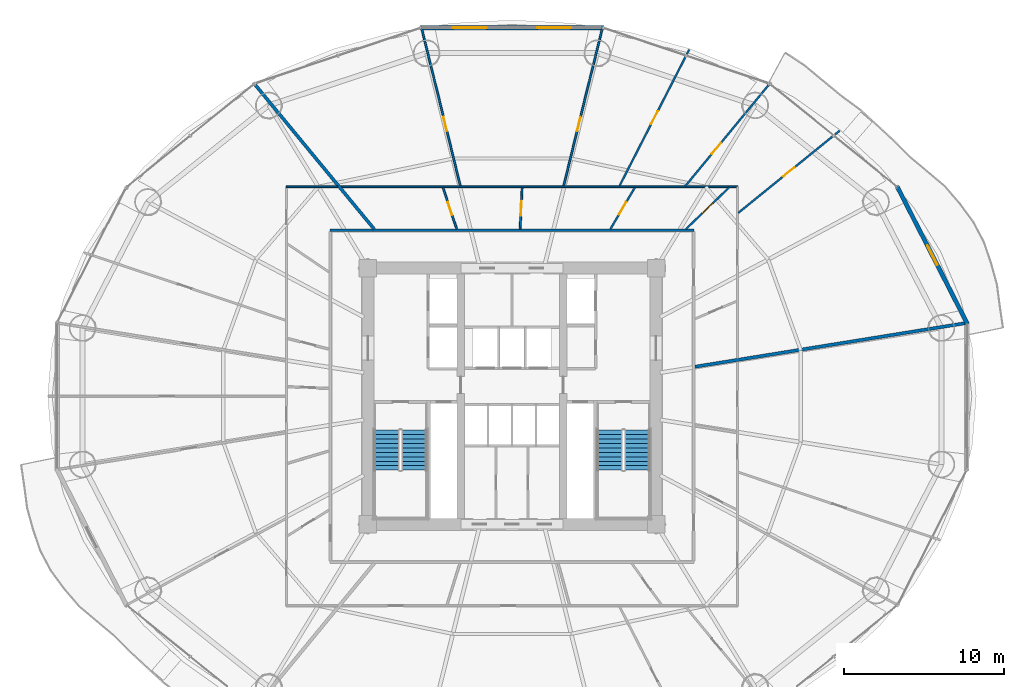
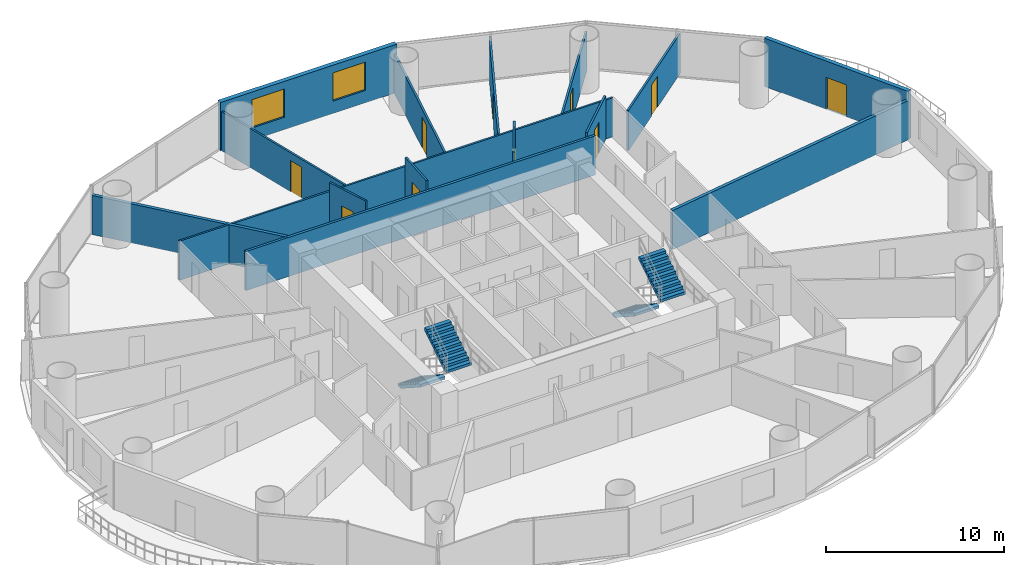
# One storey, part 24 of 28: 16 walls, 10 doors, 4 stair flights, 2 windows, 12 openings, 2 elements without a shape of their own.
"""IFC4 building model written with IfcOpenShell, lengths in metres."""

from ifc_helpers import new_model, si_unit, direction, frame, frame_2d, origin, place, context, subcontext, project, spatial, polyline, rectangle, outline, extrude, source, transform, mapped, material, layer, layer_set, type_object, element, fill, aggregate, save


model = new_model("IFC4")

# Units and contexts
model_context = context("Model", 3, precision=1e-05, world=origin(), true_north=direction((-0.2419218956, 0.970295726276)))
body_context = subcontext(model_context, "Body", "Model", "MODEL_VIEW")
ifc_project = project(units=[si_unit("LENGTHUNIT", "METRE"), si_unit("AREAUNIT", "SQUARE_METRE"), si_unit("VOLUMEUNIT", "CUBIC_METRE"), si_unit("PLANEANGLEUNIT", "RADIAN"), si_unit("MASSUNIT", "GRAM", prefix="KILO")], contexts=[model_context])

# Site, building, storey
site_placement = place(None, origin())
site = spatial("IfcSite", under=ifc_project, at=site_placement, CompositionType="ELEMENT")
building_placement = place(site_placement, origin())
building = spatial("IfcBuilding", under=site, at=building_placement, Name="Cobrevalo Terracotta Tower", CompositionType="ELEMENT")
storey_placement = place(building_placement, frame((0.0, 0.0, 42.0)))
storey = spatial("IfcBuildingStorey", under=building, at=storey_placement, Name="L10", CompositionType="ELEMENT", Elevation=42.0)

# Walls
ifc_material_1 = material(Name="Gypsum board on steel stud", Category="steel")
ifc_layer_1 = layer(ifc_material_1, 0.159912109375)
ifc_layer_set_1 = layer_set([ifc_layer_1], Name="Gypsum board on steel stud")
wall_type_1 = type_object("IfcWallType", Name="Fire-rated corridor acoustic partition wall 160 mm", PredefinedType="PARTITIONING", material=ifc_layer_set_1)
wall_1_placement = place(storey_placement, frame((26.64501953125, 37.155029296875, 0.0), z_axis=(0.0, 0.0, 1.0), x_axis=(1.0, 0.0, 0.0)))
element("IfcWall", 1, at=wall_1_placement, inside=storey, type_object=wall_type_1, Name="L10 interior partition IW-L10-COR-N", PredefinedType="PARTITIONING", context=body_context, shape_type="SweptSolid", body=[
    extrude(rectangle(XDim=22.7099609375, YDim=0.159912109375, at=frame_2d((11.35498046875, 0.0))), origin(), (0.0, 0.0, 1.0), 2.68798828125),
])
ifc_material_2 = material(Name="Autoclaved aerated concrete block", Category="concrete")
ifc_layer_2 = layer(ifc_material_2, 0.199951171875)
ifc_layer_set_2 = layer_set([ifc_layer_2], Name="Autoclaved aerated concrete block")
wall_type_2 = type_object("IfcWallType", Name="Fire-rated stair, shaft & demising masonry wall 200 mm", PredefinedType="PARTITIONING", material=ifc_layer_set_2)
wall_2_placement = place(storey_placement, frame((49.43505859375, 28.64306640625, 0.0), z_axis=(0.0, 0.0, 1.0), x_axis=(0.987255953651, 0.159140447344, 0.0)))
element("IfcWall", 2, at=wall_2_placement, inside=storey, type_object=wall_type_2, Name="L10 interior partition IW-L10-DEM-1", PredefinedType="PARTITIONING", context=body_context, shape_type="SweptSolid", body=[
    extrude(rectangle(XDim=17.10546875, YDim=0.199951171875, at=frame_2d((8.552734375, 0.0))), origin(), (0.0, 0.0, 1.0), 2.68798828125),
])
wall_3_placement = place(storey_placement, frame((29.39453125, 37.236572265625, 0.0), z_axis=(0.0, 0.0, 1.0), x_axis=(-0.636195770442, 0.77152766747, 0.0)))
element("IfcWall", 3, at=wall_3_placement, inside=storey, type_object=wall_type_2, Name="L10 interior partition IW-L10-DEM-2", PredefinedType="PARTITIONING", context=body_context, shape_type="SweptSolid", body=[
    extrude(rectangle(XDim=11.680908203125, YDim=0.199951171875, at=frame_2d((5.84033203125, 0.0))), origin(), (0.0, 0.0, 1.0), 2.68798828125),
])

# Wall, openings, windows
ifc_layer_3 = layer(ifc_material_2, 0.280029296875)
ifc_layer_set_3 = layer_set([ifc_layer_3], Name="Autoclaved aerated concrete block")
wall_type_3 = type_object("IfcWallType", Name="Insulated tower spandrel & pier wall 280 mm with terracotta rainscreen", PredefinedType="SOLIDWALL", material=ifc_layer_set_3)
wall_4_placement = place(storey_placement, frame((43.731689453125, 49.819091796875, 0.0), z_axis=(0.0, 0.0, 1.0), x_axis=(-1.0, 0.0, 0.0)))
wall_4 = element("IfcWall", 4, at=wall_4_placement, inside=storey, type_object=wall_type_3, Name="L10 terracotta rainscreen pier wall S04", PredefinedType="SOLIDWALL", context=body_context, shape_type="SweptSolid", body=[
    extrude(rectangle(XDim=11.46337890625, YDim=0.280029296875, at=frame_2d((5.731689453125, 0.0))), origin(), (0.0, 0.0, 1.0), 3.320068359375),
])
opening_1_placement = place(wall_4_placement, frame((2.045166015625, 0.0, 0.85009765625)))
opening_1 = element("IfcOpeningElement", 5, at=opening_1_placement, cuts=wall_4, Name="Opening WN-10", PredefinedType="OPENING", context=body_context, shape_type="SweptSolid", body=[
    extrude(rectangle(XDim=2.10009765625, YDim=1.949951171875, at=frame_2d((1.050048828125, 0.97509765625))), frame((0.0, 0.14990234375, 0.0), z_axis=(0.0, -1.0, 0.0), x_axis=(1.0, 0.0, 0.0)), (0.0, 0.0, 1.0), 0.300048828125),
])
opening_2_placement = place(wall_4_placement, frame((7.318359375, 0.0, 0.85009765625)))
opening_2 = element("IfcOpeningElement", 6, at=opening_2_placement, cuts=wall_4, Name="Opening WN-10", PredefinedType="OPENING", context=body_context, shape_type="SweptSolid", body=[
    extrude(rectangle(XDim=2.10009765625, YDim=1.949951171875, at=frame_2d((1.050048828125, 0.97509765625))), frame((0.0, 0.14990234375, 0.0), z_axis=(0.0, -1.0, 0.0), x_axis=(1.0, 0.0, 0.0)), (0.0, 0.0, 1.0), 0.300048828125),
])
ifc_material_3 = material(Name="Solar-control low-E double glazing", Category="glass")
window_type = type_object("IfcWindowType", Name="Wide panoramic low-E aluminium window 2100x1950", PartitioningType="SINGLE_PANEL", PredefinedType="WINDOW", material=ifc_material_3)
shared_shape_1 = source(origin(), body_context, "Body", "SweptSolid", [
    extrude(rectangle(XDim=2.10009765625, YDim=1.949951171875, at=frame_2d((1.050048828125, 0.97509765625))), frame((0.0, 0.030029296875, 0.0), z_axis=(0.0, -1.0, 0.0), x_axis=(1.0, 0.0, 0.0)), (0.0, 0.0, 1.0), 0.06005859375),
])
window_1_placement = place(opening_1_placement, origin())
window_1 = element("IfcWindow", 7, at=window_1_placement, inside=storey, type_object=window_type, Name="L10 suite window S04A", OverallHeight=1.949951171875, OverallWidth=2.10009765625, PartitioningType="SINGLE_PANEL", PredefinedType="WINDOW", context=body_context, shape_type="MappedRepresentation", body=[
    mapped(shared_shape_1, transform((0.0, 0.0, 0.0), scale=1.0)),
])
fill(opening_1, window_1)
window_2_placement = place(opening_2_placement, origin())
window_2 = element("IfcWindow", 8, at=window_2_placement, inside=storey, type_object=window_type, Name="L10 suite window S04B", OverallHeight=1.949951171875, OverallWidth=2.10009765625, PartitioningType="SINGLE_PANEL", PredefinedType="WINDOW", context=body_context, shape_type="MappedRepresentation", body=[
    mapped(shared_shape_1, transform((0.0, 0.0, 0.0), scale=1.0)),
])
fill(opening_2, window_2)

# Wall, opening, door
ifc_layer_4 = layer(ifc_material_2, 0.260009765625)
ifc_layer_set_4 = layer_set([ifc_layer_4], Name="Autoclaved aerated concrete block")
wall_type_4 = type_object("IfcWallType", Name="Recessed balcony loggia insulated exterior wall 260 mm", PredefinedType="SOLIDWALL", material=ifc_layer_set_4)
wall_5_placement = place(storey_placement, frame((66.44970703125, 31.3076171875, 0.0), z_axis=(0.0, 0.0, 1.0), x_axis=(-0.45523081716, 0.890373462715, 0.0)))
wall_5 = element("IfcWall", 9, at=wall_5_placement, inside=storey, type_object=wall_type_4, Name="L10 balcony loggia wall S01", PredefinedType="SOLIDWALL", context=body_context, shape_type="SweptSolid", body=[
    extrude(rectangle(XDim=9.662109375, YDim=0.260009765625, at=frame_2d((4.8310546875, 0.0))), origin(), (0.0, 0.0, 1.0), 3.320068359375),
])
opening_3_placement = place(wall_5_placement, frame((4.156005859375, 0.0, 0.0)))
opening_3 = element("IfcOpeningElement", 10, at=opening_3_placement, cuts=wall_5, Name="Opening ED-05", PredefinedType="OPENING", context=body_context, shape_type="SweptSolid", body=[
    extrude(rectangle(XDim=1.35009765625, YDim=2.199951171875, at=frame_2d((0.675048828125, 1.10009765625))), frame((0.0, 0.14013671875, 0.0), z_axis=(0.0, -1.0, 0.0), x_axis=(1.0, 0.0, 0.0)), (0.0, 0.0, 1.0), 0.280029296875),
])
ifc_material_4 = material(Name="Anodized aluminium and laminated glass", Category="aluminium")
door_type_1 = type_object("IfcDoorType", Name="Suite balcony acoustic glazed terrace door 1350x2200", OperationType="NOTDEFINED", PredefinedType="DOOR", material=ifc_material_4)
shared_shape_2 = source(origin(), body_context, "Body", "SweptSolid", [
    extrude(rectangle(XDim=1.35009765625, YDim=2.199951171875, at=frame_2d((0.675048828125, 1.10009765625))), frame((0.0, 0.02490234375, 0.0), z_axis=(0.0, -1.0, 0.0), x_axis=(1.0, 0.0, 0.0)), (0.0, 0.0, 1.0), 0.050048828125),
])
door_1_placement = place(opening_3_placement, frame((1.35009765625, 0.0, 0.0), z_axis=(0.0, 0.0, 1.0), x_axis=(-1.0, 0.0, 0.0)))
door_1 = element("IfcDoor", 11, at=door_1_placement, inside=storey, type_object=door_type_1, Name="L10 glazed balcony terrace door 1", OperationType="SINGLE_SWING_LEFT", OverallHeight=2.199951171875, OverallWidth=1.35009765625, PredefinedType="DOOR", context=body_context, shape_type="MappedRepresentation", body=[
    mapped(shared_shape_2, transform((0.0, 0.0, 0.0), scale=1.0)),
])
fill(opening_3, door_1)

# Wall
ifc_layer_5 = layer(ifc_material_1, 0.1201171875)
ifc_layer_set_5 = layer_set([ifc_layer_5], Name="Gypsum board on steel stud")
wall_type_5 = type_object("IfcWallType", Name="Residential internal acoustic stud partition 120 mm", PredefinedType="PARTITIONING", material=ifc_layer_set_5)
wall_6_placement = place(storey_placement, frame((27.3125, 39.885009765625, 0.0), z_axis=(0.0, 0.0, 1.0), x_axis=(1.0, 0.0, 0.0)))
element("IfcWall", 12, at=wall_6_placement, inside=storey, type_object=wall_type_5, Name="L10 interior partition IW-L10-U1-RING0_0", PredefinedType="PARTITIONING", context=body_context, shape_type="SweptSolid", body=[
    extrude(rectangle(XDim=24.7724609375, YDim=0.1201171875, at=frame_2d((12.38623046875, 0.0))), origin(), (0.0, 0.0, 1.0), 2.68798828125),
])

# Wall, opening, door
wall_7_placement = place(storey_placement, frame((52.133056640625, 38.252685546875, 0.0), z_axis=(0.0, 0.0, 1.0), x_axis=(0.776936623447, 0.629578814087, 0.0)))
wall_7 = element("IfcWall", 13, at=wall_7_placement, inside=storey, type_object=wall_type_5, Name="L10 interior partition IW-L10-U1-ORAD1", PredefinedType="PARTITIONING", context=body_context, shape_type="SweptSolid", body=[
    extrude(rectangle(XDim=8.136474609375, YDim=0.1201171875, at=frame_2d((4.068359375, 0.0))), origin(), (0.0, 0.0, 1.0), 2.761962890625),
])
opening_4_placement = place(wall_7_placement, frame((3.618408203125, 0.0, 0.0)))
opening_4 = element("IfcOpeningElement", 14, at=opening_4_placement, cuts=wall_7, Name="Opening ID-12", PredefinedType="OPENING", context=body_context, shape_type="SweptSolid", body=[
    extrude(rectangle(XDim=0.89990234375, YDim=2.14990234375, at=frame_2d((0.449951171875, 1.074951171875))), frame((0.0, 0.070068359375, 0.0), z_axis=(0.0, -1.0, 0.0), x_axis=(1.0, 0.0, 0.0)), (0.0, 0.0, 1.0), 0.14013671875),
])
ifc_material_5 = material(Name="Engineered timber", Category="wood")
door_type_2 = type_object("IfcDoorType", Name="Internal residence & suite timber door 900x2150", OperationType="NOTDEFINED", PredefinedType="DOOR", material=ifc_material_5)
shared_shape_3 = source(origin(), body_context, "Body", "SweptSolid", [
    extrude(rectangle(XDim=0.89990234375, YDim=2.14990234375, at=frame_2d((0.449951171875, 1.074951171875))), frame((0.0, 0.02490234375, 0.0), z_axis=(0.0, -1.0, 0.0), x_axis=(1.0, 0.0, 0.0)), (0.0, 0.0, 1.0), 0.050048828125),
])
door_2_placement = place(opening_4_placement, origin())
door_2 = element("IfcDoor", 15, at=door_2_placement, inside=storey, type_object=door_type_2, Name="Flat L10A Master Bedroom internal door", OperationType="SINGLE_SWING_RIGHT", OverallHeight=2.14990234375, OverallWidth=0.89990234375, PredefinedType="DOOR", context=body_context, shape_type="MappedRepresentation", body=[
    mapped(shared_shape_3, transform((0.0, 0.0, 0.0), scale=1.0)),
])
fill(opening_4, door_2)

wall_8_placement = place(storey_placement, frame((48.828857421875, 39.932861328125, 0.0), z_axis=(0.0, 0.0, 1.0), x_axis=(0.636192172227, 0.771530634516, 0.0)))
wall_8 = element("IfcWall", 16, at=wall_8_placement, inside=storey, type_object=wall_type_5, Name="L10 interior partition IW-L10-U1-ORAD2M1", PredefinedType="PARTITIONING", context=body_context, shape_type="SweptSolid", body=[
    extrude(rectangle(XDim=8.186279296875, YDim=0.1201171875, at=frame_2d((4.09326171875, 0.0))), origin(), (0.0, 0.0, 1.0), 2.68798828125),
])
opening_5_placement = place(wall_8_placement, frame((2.584228515625, 0.0, 0.0)))
opening_5 = element("IfcOpeningElement", 17, at=opening_5_placement, cuts=wall_8, Name="Opening ID-12", PredefinedType="OPENING", context=body_context, shape_type="SweptSolid", body=[
    extrude(rectangle(XDim=0.89990234375, YDim=2.14990234375, at=frame_2d((0.449951171875, 1.074951171875))), frame((0.0, 0.070068359375, 0.0), z_axis=(0.0, -1.0, 0.0), x_axis=(1.0, 0.0, 0.0)), (0.0, 0.0, 1.0), 0.14013671875),
])
door_3_placement = place(opening_5_placement, origin())
door_3 = element("IfcDoor", 18, at=door_3_placement, inside=storey, type_object=door_type_2, Name="Flat L10A Principal Guest Bedroom internal door", OperationType="SINGLE_SWING_LEFT", OverallHeight=2.14990234375, OverallWidth=0.89990234375, PredefinedType="DOOR", context=body_context, shape_type="MappedRepresentation", body=[
    mapped(shared_shape_3, transform((0.0, 0.0, 0.0), scale=1.0)),
])
fill(opening_5, door_3)

wall_9_placement = place(storey_placement, frame((44.716796875, 39.940185546875, 0.0), z_axis=(0.0, 0.0, 1.0), x_axis=(0.455131303234, 0.890424335256, 0.0)))
wall_9 = element("IfcWall", 19, at=wall_9_placement, inside=storey, type_object=wall_type_5, Name="L10 interior partition IW-L10-U1-ORAD2M2", PredefinedType="PARTITIONING", context=body_context, shape_type="SweptSolid", body=[
    extrude(rectangle(XDim=9.562255859375, YDim=0.1201171875, at=frame_2d((4.78125, 0.0))), origin(), (0.0, 0.0, 1.0), 2.761962890625),
])
opening_6_placement = place(wall_9_placement, frame((4.3310546875, 0.0, 0.0)))
opening_6 = element("IfcOpeningElement", 20, at=opening_6_placement, cuts=wall_9, Name="Opening ID-12", PredefinedType="OPENING", context=body_context, shape_type="SweptSolid", body=[
    extrude(rectangle(XDim=0.89990234375, YDim=2.14990234375, at=frame_2d((0.449951171875, 1.074951171875))), frame((0.0, 0.070068359375, 0.0), z_axis=(0.0, -1.0, 0.0), x_axis=(1.0, 0.0, 0.0)), (0.0, 0.0, 1.0), 0.14013671875),
])
door_4_placement = place(opening_6_placement, origin())
door_4 = element("IfcDoor", 21, at=door_4_placement, inside=storey, type_object=door_type_2, Name="Flat L10A Principal Guest Bedroom internal door", OperationType="SINGLE_SWING_RIGHT", OverallHeight=2.14990234375, OverallWidth=0.89990234375, PredefinedType="DOOR", context=body_context, shape_type="MappedRepresentation", body=[
    mapped(shared_shape_3, transform((0.0, 0.0, 0.0), scale=1.0)),
])
fill(opening_6, door_4)

wall_10_placement = place(storey_placement, frame((41.226806640625, 39.9453125, 0.0), z_axis=(0.0, 0.0, 1.0), x_axis=(0.238375747469, 0.97117300365, 0.0)))
wall_10 = element("IfcWall", 22, at=wall_10_placement, inside=storey, type_object=wall_type_5, Name="L10 interior partition IW-L10-U1-ORAD2", PredefinedType="PARTITIONING", context=body_context, shape_type="SweptSolid", body=[
    extrude(rectangle(XDim=10.086181640625, YDim=0.1201171875, at=frame_2d((5.04296875, 0.0))), origin(), (0.0, 0.0, 1.0), 2.68798828125),
])
opening_7_placement = place(wall_10_placement, frame((3.5185546875, 0.0, 0.0)))
opening_7 = element("IfcOpeningElement", 23, at=opening_7_placement, cuts=wall_10, Name="Opening ID-12", PredefinedType="OPENING", context=body_context, shape_type="SweptSolid", body=[
    extrude(rectangle(XDim=0.89990234375, YDim=2.14990234375, at=frame_2d((0.449951171875, 1.074951171875))), frame((0.0, 0.070068359375, 0.0), z_axis=(0.0, -1.0, 0.0), x_axis=(1.0, 0.0, 0.0)), (0.0, 0.0, 1.0), 0.14013671875),
])
door_5_placement = place(opening_7_placement, origin())
door_5 = element("IfcDoor", 24, at=door_5_placement, inside=storey, type_object=door_type_2, Name="Flat L10A Penthouse Family Lounge internal door", OperationType="SINGLE_SWING_LEFT", OverallHeight=2.14990234375, OverallWidth=0.89990234375, PredefinedType="DOOR", context=body_context, shape_type="MappedRepresentation", body=[
    mapped(shared_shape_3, transform((0.0, 0.0, 0.0), scale=1.0)),
])
fill(opening_7, door_5)

wall_11_placement = place(storey_placement, frame((34.773193359375, 39.9453125, 0.0), z_axis=(0.0, 0.0, 1.0), x_axis=(-0.238375747469, 0.97117300365, 0.0)))
wall_11 = element("IfcWall", 25, at=wall_11_placement, inside=storey, type_object=wall_type_5, Name="L10 interior partition IW-L10-U1-ORAD3", PredefinedType="PARTITIONING", context=body_context, shape_type="SweptSolid", body=[
    extrude(rectangle(XDim=10.086181640625, YDim=0.1201171875, at=frame_2d((5.04296875, 0.0))), origin(), (0.0, 0.0, 1.0), 2.68798828125),
])
opening_8_placement = place(wall_11_placement, frame((3.51806640625, 0.0, 0.0)))
opening_8 = element("IfcOpeningElement", 26, at=opening_8_placement, cuts=wall_11, Name="Opening ID-12", PredefinedType="OPENING", context=body_context, shape_type="SweptSolid", body=[
    extrude(rectangle(XDim=0.89990234375, YDim=2.14990234375, at=frame_2d((0.449951171875, 1.074951171875))), frame((0.0, 0.070068359375, 0.0), z_axis=(0.0, -1.0, 0.0), x_axis=(1.0, 0.0, 0.0)), (0.0, 0.0, 1.0), 0.14013671875),
])
door_6_placement = place(opening_8_placement, origin())
door_6 = element("IfcDoor", 27, at=door_6_placement, inside=storey, type_object=door_type_2, Name="Flat L10A Penthouse Family Lounge internal door", OperationType="SINGLE_SWING_RIGHT", OverallHeight=2.14990234375, OverallWidth=0.89990234375, PredefinedType="DOOR", context=body_context, shape_type="MappedRepresentation", body=[
    mapped(shared_shape_3, transform((0.0, 0.0, 0.0), scale=1.0)),
])
fill(opening_8, door_6)

wall_12_placement = place(storey_placement, frame((48.854736328125, 37.236328125, 0.0), z_axis=(0.0, 0.0, 1.0), x_axis=(0.720835560675, 0.693106120638, 0.0)))
wall_12 = element("IfcWall", 28, at=wall_12_placement, inside=storey, type_object=wall_type_5, Name="L10 interior partition IW-L10-U1-IRAD2", PredefinedType="PARTITIONING", context=body_context, shape_type="SweptSolid", body=[
    extrude(rectangle(XDim=3.759521484375, YDim=0.1201171875, at=frame_2d((1.8798828125, 0.0))), origin(), (0.0, 0.0, 1.0), 2.9990234375),
])
opening_9_placement = place(wall_12_placement, frame((1.4296875, 0.0, 0.0)))
opening_9 = element("IfcOpeningElement", 29, at=opening_9_placement, cuts=wall_12, Name="Opening ID-12", PredefinedType="OPENING", context=body_context, shape_type="SweptSolid", body=[
    extrude(rectangle(XDim=0.89990234375, YDim=2.14990234375, at=frame_2d((0.449951171875, 1.074951171875))), frame((0.0, 0.070068359375, 0.0), z_axis=(0.0, -1.0, 0.0), x_axis=(1.0, 0.0, 0.0)), (0.0, 0.0, 1.0), 0.14013671875),
])
door_7_placement = place(opening_9_placement, origin())
door_7 = element("IfcDoor", 30, at=door_7_placement, inside=storey, type_object=door_type_2, Name="Flat L10A Kitchen internal door", OperationType="SINGLE_SWING_RIGHT", OverallHeight=2.14990234375, OverallWidth=0.89990234375, PredefinedType="DOOR", context=body_context, shape_type="MappedRepresentation", body=[
    mapped(shared_shape_3, transform((0.0, 0.0, 0.0), scale=1.0)),
])
fill(opening_9, door_7)

wall_13_placement = place(storey_placement, frame((44.14306640625, 37.23681640625, 0.0), z_axis=(0.0, 0.0, 1.0), x_axis=(0.507275244465, 0.861784094976, 0.0)))
wall_13 = element("IfcWall", 31, at=wall_13_placement, inside=storey, type_object=wall_type_5, Name="L10 interior partition IW-L10-U1-IRAD3", PredefinedType="PARTITIONING", context=body_context, shape_type="SweptSolid", body=[
    extrude(rectangle(XDim=3.010986328125, YDim=0.1201171875, at=frame_2d((1.50537109375, 0.0))), origin(), (0.0, 0.0, 1.0), 3.320068359375),
])
opening_10_placement = place(wall_13_placement, frame((1.055419921875, 0.0, 0.0)))
opening_10 = element("IfcOpeningElement", 32, at=opening_10_placement, cuts=wall_13, Name="Opening ID-12", PredefinedType="OPENING", context=body_context, shape_type="SweptSolid", body=[
    extrude(rectangle(XDim=0.89990234375, YDim=2.14990234375, at=frame_2d((0.449951171875, 1.074951171875))), frame((0.0, 0.070068359375, 0.0), z_axis=(0.0, -1.0, 0.0), x_axis=(1.0, 0.0, 0.0)), (0.0, 0.0, 1.0), 0.14013671875),
])
door_8_placement = place(opening_10_placement, origin())
door_8 = element("IfcDoor", 33, at=door_8_placement, inside=storey, type_object=door_type_2, Name="Flat L10A Utility Closet internal door", OperationType="SINGLE_SWING_LEFT", OverallHeight=2.14990234375, OverallWidth=0.89990234375, PredefinedType="DOOR", context=body_context, shape_type="MappedRepresentation", body=[
    mapped(shared_shape_3, transform((0.0, 0.0, 0.0), scale=1.0)),
])
fill(opening_10, door_8)

wall_14_placement = place(storey_placement, frame((38.506103515625, 37.237060546875, 0.0), z_axis=(0.0, 0.0, 1.0), x_axis=(0.048376073987, 0.998829192338, 0.0)))
wall_14 = element("IfcWall", 34, at=wall_14_placement, inside=storey, type_object=wall_type_5, Name="L10 interior partition IW-L10-U1-IRAD4", PredefinedType="PARTITIONING", context=body_context, shape_type="SweptSolid", body=[
    extrude(rectangle(XDim=2.5888671875, YDim=0.1201171875, at=frame_2d((1.29443359375, 0.0))), origin(), (0.0, 0.0, 1.0), 3.320068359375),
])
opening_11_placement = place(wall_14_placement, frame((0.844482421875, 0.0, 0.0)))
opening_11 = element("IfcOpeningElement", 35, at=opening_11_placement, cuts=wall_14, Name="Opening ID-12", PredefinedType="OPENING", context=body_context, shape_type="SweptSolid", body=[
    extrude(rectangle(XDim=0.89990234375, YDim=2.14990234375, at=frame_2d((0.449951171875, 1.074951171875))), frame((0.0, 0.070068359375, 0.0), z_axis=(0.0, -1.0, 0.0), x_axis=(1.0, 0.0, 0.0)), (0.0, 0.0, 1.0), 0.14013671875),
])
door_9_placement = place(opening_11_placement, origin())
door_9 = element("IfcDoor", 36, at=door_9_placement, inside=storey, type_object=door_type_2, Name="Flat L10A Home Office Study internal door", OperationType="SINGLE_SWING_RIGHT", OverallHeight=2.14990234375, OverallWidth=0.89990234375, PredefinedType="DOOR", context=body_context, shape_type="MappedRepresentation", body=[
    mapped(shared_shape_3, transform((0.0, 0.0, 0.0), scale=1.0)),
])
fill(opening_11, door_9)

wall_15_placement = place(storey_placement, frame((34.548828125, 37.23681640625, 0.0), z_axis=(0.0, 0.0, 1.0), x_axis=(-0.313863409377, 0.949468145992, 0.0)))
wall_15 = element("IfcWall", 37, at=wall_15_placement, inside=storey, type_object=wall_type_5, Name="L10 interior partition IW-L10-U1-IRAD5", PredefinedType="PARTITIONING", context=body_context, shape_type="SweptSolid", body=[
    extrude(rectangle(XDim=2.72705078125, YDim=0.1201171875, at=frame_2d((1.363525390625, 0.0))), origin(), (0.0, 0.0, 1.0), 3.320068359375),
])
opening_12_placement = place(wall_15_placement, frame((0.93359375, 0.0, 0.0)))
opening_12 = element("IfcOpeningElement", 38, at=opening_12_placement, cuts=wall_15, Name="Opening ID-19", PredefinedType="OPENING", context=body_context, shape_type="SweptSolid", body=[
    extrude(rectangle(XDim=0.860107421875, YDim=2.14990234375, at=frame_2d((0.43017578125, 1.074951171875))), frame((0.0, 0.070068359375, 0.0), z_axis=(0.0, -1.0, 0.0), x_axis=(1.0, 0.0, 0.0)), (0.0, 0.0, 1.0), 0.14013671875),
])
ifc_material_6 = material(Name="Moisture-sealed timber", Category="wood")
door_type_3 = type_object("IfcDoorType", Name="Suite bathroom internal timber door 860x2150", OperationType="NOTDEFINED", PredefinedType="DOOR", material=ifc_material_6)
shared_shape_4 = source(origin(), body_context, "Body", "SweptSolid", [
    extrude(rectangle(XDim=0.860107421875, YDim=2.14990234375, at=frame_2d((0.43017578125, 1.074951171875))), frame((0.0, 0.02490234375, 0.0), z_axis=(0.0, -1.0, 0.0), x_axis=(1.0, 0.0, 0.0)), (0.0, 0.0, 1.0), 0.050048828125),
])
door_10_placement = place(opening_12_placement, origin())
door_10 = element("IfcDoor", 39, at=door_10_placement, inside=storey, type_object=door_type_3, Name="Flat L10A Guest Bathroom internal door", OperationType="SINGLE_SWING_LEFT", OverallHeight=2.14990234375, OverallWidth=0.860107421875, PredefinedType="DOOR", context=body_context, shape_type="MappedRepresentation", body=[
    mapped(shared_shape_4, transform((0.0, 0.0, 0.0), scale=1.0)),
])
fill(opening_12, door_10)

# Wall
wall_16_placement = place(storey_placement, frame((23.9150390625, 39.885009765625, 0.0), z_axis=(0.0, 0.0, 1.0), x_axis=(1.0, 0.0, 0.0)))
element("IfcWall", 40, at=wall_16_placement, inside=storey, type_object=wall_type_5, Name="L10 interior partition IW-L10-U2-RING2_0", PredefinedType="PARTITIONING", context=body_context, shape_type="SweptSolid", body=[
    extrude(rectangle(XDim=3.193603515625, YDim=0.1201171875, at=frame_2d((1.5966796875, 0.0))), origin(), (0.0, 0.0, 1.0), 2.68798828125),
])

# Stair, stair flights
ifc_material_7 = material(Name="Concrete C50", Category="concrete")
stair_type = type_object("IfcStairType", Name="Core protected escape dogleg stair 1600", PredefinedType="HALF_TURN_STAIR", material=ifc_material_7)
stair_1_placement = place(storey_placement, origin())
stair_1 = element("IfcStair", 41, at=stair_1_placement, inside=storey, type_object=stair_type, Name="L10 Protected exit stair ST-1", PredefinedType="HALF_TURN_STAIR")
stair_flight_type = type_object("IfcStairFlightType", Name="Core protected escape dogleg stair 1600 flight", PredefinedType="STRAIGHT", material=ifc_material_7)
stair_flight_1_placement = place(storey_placement, frame((30.175048828125, 24.699951171875, 0.0), z_axis=(0.0, 0.0, 1.0), x_axis=(0.0, -1.0, 0.0)))
stair_flight_1 = element("IfcStairFlight", 42, at=stair_flight_1_placement, type_object=stair_flight_type, Name="ST-1 flight 1", NumberOfRisers=10, NumberOfTreads=9, PredefinedType="STRAIGHT", RiserHeight=0.18, TreadLength=0.28, context=body_context, shape_type="SweptSolid", body=[
    extrude(outline(polyline([(0.0, 0.0), (0.0, 0.179931640625), (0.280029296875, 0.179931640625), (0.280029296875, 0.360107421875), (0.56005859375, 0.360107421875), (0.56005859375, 0.5400390625), (0.840087890625, 0.5400390625), (0.840087890625, 0.719970703125), (1.1201171875, 0.719970703125), (1.1201171875, 0.89990234375), (1.39990234375, 0.89990234375), (1.39990234375, 1.080078125), (1.679931640625, 1.080078125), (1.679931640625, 1.260009765625), (1.9599609375, 1.260009765625), (1.9599609375, 1.43994140625), (2.239990234375, 1.43994140625), (2.239990234375, 1.6201171875), (2.52001953125, 1.6201171875), (2.52001953125, 1.800048828125), (2.52001953125, 1.429931640625), (0.295654296875, 0.0), (0.0, 0.0)])), frame((0.0, 0.800048828125, 0.0), z_axis=(0.0, -1.0, 0.0), x_axis=(1.0, 0.0, 0.0)), (0.0, 0.0, 1.0), 1.60009765625),
])
stair_flight_2_placement = place(storey_placement, frame((31.89501953125, 22.179931640625, 1.800048828125), z_axis=(0.0, 0.0, 1.0), x_axis=(0.0, 1.0, 0.0)))
stair_flight_2 = element("IfcStairFlight", 43, at=stair_flight_2_placement, type_object=stair_flight_type, Name="ST-1 flight 2", NumberOfRisers=10, NumberOfTreads=9, PredefinedType="STRAIGHT", RiserHeight=0.18, TreadLength=0.28, context=body_context, shape_type="SweptSolid", body=[
    extrude(outline(polyline([(0.0, 0.0), (0.0, 0.179931640625), (0.280029296875, 0.179931640625), (0.280029296875, 0.360107421875), (0.56005859375, 0.360107421875), (0.56005859375, 0.5400390625), (0.840087890625, 0.5400390625), (0.840087890625, 0.719970703125), (1.1201171875, 0.719970703125), (1.1201171875, 0.89990234375), (1.39990234375, 0.89990234375), (1.39990234375, 1.080078125), (1.679931640625, 1.080078125), (1.679931640625, 1.260009765625), (1.9599609375, 1.260009765625), (1.9599609375, 1.43994140625), (2.239990234375, 1.43994140625), (2.239990234375, 1.6201171875), (2.52001953125, 1.6201171875), (2.52001953125, 1.800048828125), (2.52001953125, 1.429931640625), (0.295654296875, 0.0), (0.0, 0.0)])), frame((0.0, 0.800048828125, 0.0), z_axis=(0.0, -1.0, 0.0), x_axis=(1.0, 0.0, 0.0)), (0.0, 0.0, 1.0), 1.60009765625),
])
aggregate(stair_1, [stair_flight_1, stair_flight_2])

stair_2_placement = place(storey_placement, origin())
stair_2 = element("IfcStair", 44, at=stair_2_placement, inside=storey, type_object=stair_type, Name="L10 Protected exit stair ST-2", PredefinedType="HALF_TURN_STAIR")
stair_flight_3_placement = place(storey_placement, frame((44.10498046875, 24.699951171875, 0.0), z_axis=(0.0, 0.0, 1.0), x_axis=(0.0, -1.0, 0.0)))
stair_flight_3 = element("IfcStairFlight", 45, at=stair_flight_3_placement, type_object=stair_flight_type, Name="ST-2 flight 1", NumberOfRisers=10, NumberOfTreads=9, PredefinedType="STRAIGHT", RiserHeight=0.18, TreadLength=0.28, context=body_context, shape_type="SweptSolid", body=[
    extrude(outline(polyline([(0.0, 0.0), (0.0, 0.179931640625), (0.280029296875, 0.179931640625), (0.280029296875, 0.360107421875), (0.56005859375, 0.360107421875), (0.56005859375, 0.5400390625), (0.840087890625, 0.5400390625), (0.840087890625, 0.719970703125), (1.1201171875, 0.719970703125), (1.1201171875, 0.89990234375), (1.39990234375, 0.89990234375), (1.39990234375, 1.080078125), (1.679931640625, 1.080078125), (1.679931640625, 1.260009765625), (1.9599609375, 1.260009765625), (1.9599609375, 1.43994140625), (2.239990234375, 1.43994140625), (2.239990234375, 1.6201171875), (2.52001953125, 1.6201171875), (2.52001953125, 1.800048828125), (2.52001953125, 1.429931640625), (0.295654296875, 0.0), (0.0, 0.0)])), frame((0.0, 0.800048828125, 0.0), z_axis=(0.0, -1.0, 0.0), x_axis=(1.0, 0.0, 0.0)), (0.0, 0.0, 1.0), 1.60009765625),
])
stair_flight_4_placement = place(storey_placement, frame((45.824951171875, 22.179931640625, 1.800048828125), z_axis=(0.0, 0.0, 1.0), x_axis=(0.0, 1.0, 0.0)))
stair_flight_4 = element("IfcStairFlight", 46, at=stair_flight_4_placement, type_object=stair_flight_type, Name="ST-2 flight 2", NumberOfRisers=10, NumberOfTreads=9, PredefinedType="STRAIGHT", RiserHeight=0.18, TreadLength=0.28, context=body_context, shape_type="SweptSolid", body=[
    extrude(outline(polyline([(0.0, 0.0), (0.0, 0.179931640625), (0.280029296875, 0.179931640625), (0.280029296875, 0.360107421875), (0.56005859375, 0.360107421875), (0.56005859375, 0.5400390625), (0.840087890625, 0.5400390625), (0.840087890625, 0.719970703125), (1.1201171875, 0.719970703125), (1.1201171875, 0.89990234375), (1.39990234375, 0.89990234375), (1.39990234375, 1.080078125), (1.679931640625, 1.080078125), (1.679931640625, 1.260009765625), (1.9599609375, 1.260009765625), (1.9599609375, 1.43994140625), (2.239990234375, 1.43994140625), (2.239990234375, 1.6201171875), (2.52001953125, 1.6201171875), (2.52001953125, 1.800048828125), (2.52001953125, 1.429931640625), (0.295654296875, 0.0), (0.0, 0.0)])), frame((0.0, 0.800048828125, 0.0), z_axis=(0.0, -1.0, 0.0), x_axis=(1.0, 0.0, 0.0)), (0.0, 0.0, 1.0), 1.60009765625),
])
aggregate(stair_2, [stair_flight_3, stair_flight_4])

save(model, "model.ifc")
